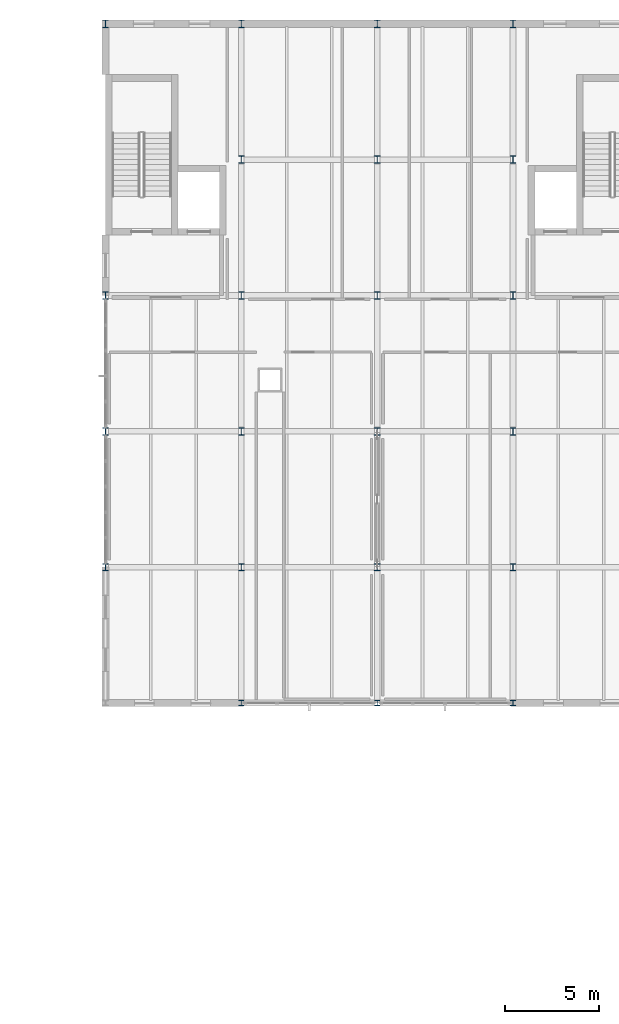
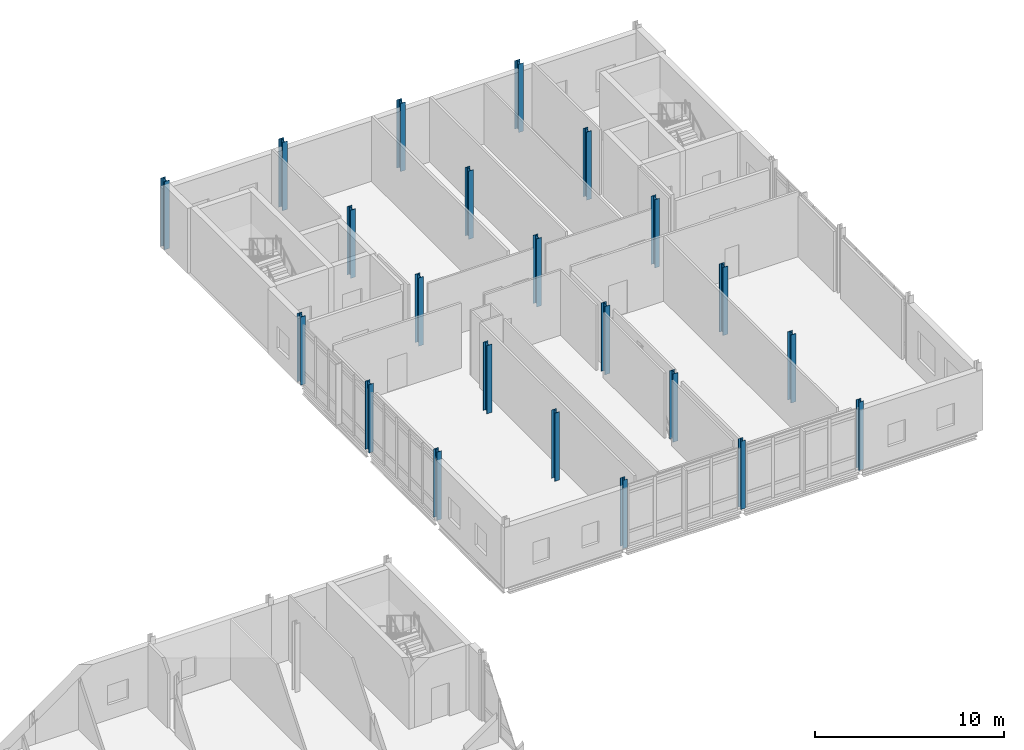
# One storey, part 9 of 72: 22 columns.
"""IFC4 building model written with IfcOpenShell, lengths in metres."""

from ifc_helpers import new_model, si_unit, direction, frame, origin, origin_2d, place, context, subcontext, project, spatial, i_section, extrude, material, material_profile, profile_set, type_object, element, save


model = new_model("IFC4")

# Units and contexts
model_context = context("Model", 3, precision=1e-05, world=origin(), true_north=direction((0.0, 1.0)))
body_context = subcontext(model_context, "Body", "Model", "MODEL_VIEW")
ifc_project = project(units=[si_unit("LENGTHUNIT", "METRE"), si_unit("AREAUNIT", "SQUARE_METRE"), si_unit("VOLUMEUNIT", "CUBIC_METRE"), si_unit("PLANEANGLEUNIT", "RADIAN"), si_unit("MASSUNIT", "GRAM", prefix="KILO")], contexts=[model_context])

# Site, building, storey
site_placement = place(None, origin())
site = spatial("IfcSite", under=ifc_project, at=site_placement, CompositionType="ELEMENT")
building_placement = place(site_placement, origin())
building = spatial("IfcBuilding", under=site, at=building_placement, Name="Zarrinpeak Specialist Clinic", CompositionType="ELEMENT")
storey_placement = place(building_placement, frame((0.0, 0.0, 9.60009765625)))
storey = spatial("IfcBuildingStorey", under=building, at=storey_placement, Name="L02", CompositionType="ELEMENT", Elevation=9.60009765625)

# Columns
ifc_material = material(Name="Steel S355", Category="steel")
ifc_material_profile_1 = material_profile(ifc_material, i_section(OverallWidth=0.280029296875, OverallDepth=0.280029296875, WebThickness=0.010498046875, FlangeThickness=0.01806640625, FilletRadius=0.02392578125, at=origin_2d()), Name="HEB 280")
ifc_profile_set_1 = profile_set([ifc_material_profile_1], Name="Steel S355")
column_type_1 = type_object("IfcColumnType", Name="COL-HEB280", PredefinedType="COLUMN", material=ifc_profile_set_1)
for number, where, z_axis, x_axis, name in (
    (1, (43.199951171875, 82.0, 0.0), (0.0, 0.0, 1.0), (1.0, 0.0, 0.0), "L02 Structural Column COL-L02-084"),
    (2, (50.39990234375, 82.0, 0.0), (0.0, 0.0, 1.0), (1.0, 0.0, 0.0), "L02 Structural Column COL-L02-095"),
    (3, (57.60009765625, 82.0, 0.0), (0.0, 0.0, 1.0), (1.0, 0.0, 0.0), "L02 Structural Column COL-L02-105"),
):
    element("IfcColumn", number, at=place(storey_placement, frame(where, z_axis=z_axis, x_axis=x_axis)), inside=storey, type_object=column_type_1, Name=name, PredefinedType="COLUMN", context=body_context, shape_type="SweptSolid", body=[
        extrude(i_section(OverallWidth=0.280029296875, OverallDepth=0.280029296875, WebThickness=0.010498046875, FlangeThickness=0.01806640625, FilletRadius=0.02392578125, at=origin_2d()), origin(), (0.0, 0.0, 1.0), 4.39990234375),
    ])
ifc_material_profile_2 = material_profile(ifc_material, i_section(OverallWidth=0.300048828125, OverallDepth=0.360107421875, WebThickness=0.012451171875, FlangeThickness=0.0224609375, FilletRadius=0.027099609375, at=origin_2d()), Name="HEB 360")
ifc_profile_set_2 = profile_set([ifc_material_profile_2], Name="Steel S355")
column_type_2 = type_object("IfcColumnType", Name="COL-HEB360", PredefinedType="COLUMN", material=ifc_profile_set_2)
for number, where, z_axis, x_axis, name in (
    (4, (36.0, 89.199951171875, 0.0), (0.0, 0.0, 1.0), (1.0, 0.0, 0.0), "L02 Structural Column COL-L02-075"),
    (5, (43.199951171875, 89.199951171875, 0.0), (0.0, 0.0, 1.0), (1.0, 0.0, 0.0), "L02 Structural Column COL-L02-085"),
    (6, (50.39990234375, 89.199951171875, 0.0), (0.0, 0.0, 1.0), (1.0, 0.0, 0.0), "L02 Structural Column COL-L02-096"),
    (7, (57.60009765625, 89.199951171875, 0.0), (0.0, 0.0, 1.0), (1.0, 0.0, 0.0), "L02 Structural Column COL-L02-106"),
):
    element("IfcColumn", number, at=place(storey_placement, frame(where, z_axis=z_axis, x_axis=x_axis)), inside=storey, type_object=column_type_2, Name=name, PredefinedType="COLUMN", context=body_context, shape_type="SweptSolid", body=[
        extrude(i_section(OverallWidth=0.300048828125, OverallDepth=0.360107421875, WebThickness=0.012451171875, FlangeThickness=0.0224609375, FilletRadius=0.027099609375, at=origin_2d()), origin(), (0.0, 0.0, 1.0), 4.39990234375),
    ])
ifc_material_profile_3 = material_profile(ifc_material, i_section(OverallWidth=0.300048828125, OverallDepth=0.39990234375, WebThickness=0.013427734375, FlangeThickness=0.02392578125, FilletRadius=0.027099609375, at=origin_2d()), Name="HEB 400")
ifc_profile_set_3 = profile_set([ifc_material_profile_3], Name="Steel S355")
column_type_3 = type_object("IfcColumnType", Name="COL-HEB400", PredefinedType="COLUMN", material=ifc_profile_set_3)
for number, where, z_axis, x_axis, name in (
    (8, (36.0, 96.39990234375, 0.0), (0.0, 0.0, 1.0), (1.0, 0.0, 0.0), "L02 Structural Column COL-L02-076"),
    (9, (36.0, 103.60009765625, 0.0), (0.0, 0.0, 1.0), (1.0, 0.0, 0.0), "L02 Structural Column COL-L02-077"),
    (10, (36.0, 118.0, 0.0), (0.0, 0.0, 1.0), (1.0, 0.0, 0.0), "L02 Structural Column COL-L02-078"),
    (11, (43.199951171875, 96.39990234375, 0.0), (0.0, 0.0, 1.0), (1.0, 0.0, 0.0), "L02 Structural Column COL-L02-086"),
    (12, (43.199951171875, 103.60009765625, 0.0), (0.0, 0.0, 1.0), (1.0, 0.0, 0.0), "L02 Structural Column COL-L02-087"),
    (13, (43.199951171875, 110.800048828125, 0.0), (0.0, 0.0, 1.0), (1.0, 0.0, 0.0), "L02 Structural Column COL-L02-088"),
    (14, (43.199951171875, 118.0, 0.0), (0.0, 0.0, 1.0), (1.0, 0.0, 0.0), "L02 Structural Column COL-L02-089"),
    (15, (50.39990234375, 96.39990234375, 0.0), (0.0, 0.0, 1.0), (1.0, 0.0, 0.0), "L02 Structural Column COL-L02-097"),
    (16, (50.39990234375, 103.60009765625, 0.0), (0.0, 0.0, 1.0), (1.0, 0.0, 0.0), "L02 Structural Column COL-L02-098"),
    (17, (50.39990234375, 110.800048828125, 0.0), (0.0, 0.0, 1.0), (1.0, 0.0, 0.0), "L02 Structural Column COL-L02-099"),
    (18, (50.39990234375, 118.0, 0.0), (0.0, 0.0, 1.0), (1.0, 0.0, 0.0), "L02 Structural Column COL-L02-100"),
    (19, (57.60009765625, 96.39990234375, 0.0), (0.0, 0.0, 1.0), (1.0, 0.0, 0.0), "L02 Structural Column COL-L02-107"),
    (20, (57.60009765625, 103.60009765625, 0.0), (0.0, 0.0, 1.0), (1.0, 0.0, 0.0), "L02 Structural Column COL-L02-108"),
    (21, (57.60009765625, 110.800048828125, 0.0), (0.0, 0.0, 1.0), (1.0, 0.0, 0.0), "L02 Structural Column COL-L02-109"),
    (22, (57.60009765625, 118.0, 0.0), (0.0, 0.0, 1.0), (1.0, 0.0, 0.0), "L02 Structural Column COL-L02-110"),
):
    element("IfcColumn", number, at=place(storey_placement, frame(where, z_axis=z_axis, x_axis=x_axis)), inside=storey, type_object=column_type_3, Name=name, PredefinedType="COLUMN", context=body_context, shape_type="SweptSolid", body=[
        extrude(i_section(OverallWidth=0.300048828125, OverallDepth=0.39990234375, WebThickness=0.013427734375, FlangeThickness=0.02392578125, FilletRadius=0.027099609375, at=origin_2d()), origin(), (0.0, 0.0, 1.0), 4.39990234375),
    ])

save(model, "model.ifc")
